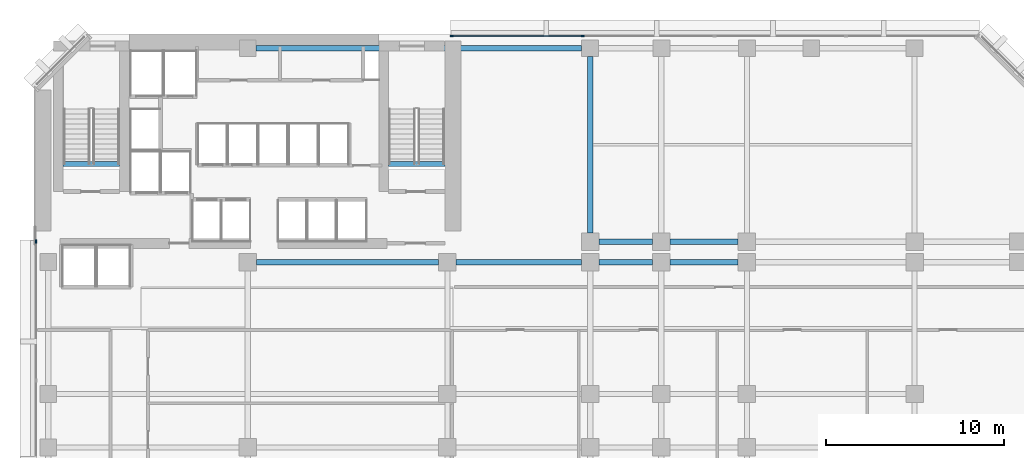
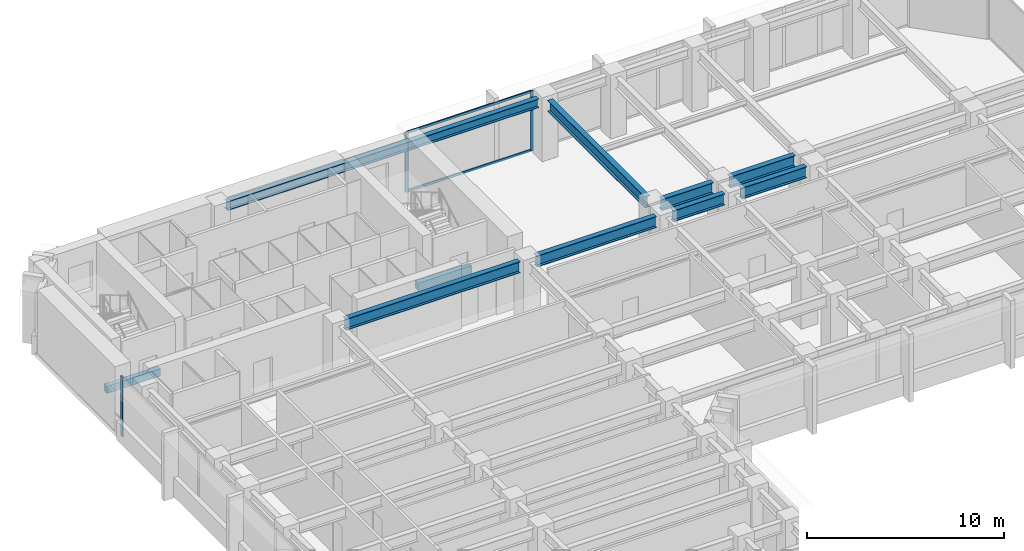
# One storey, part 4 of 13: 10 beams, 5 members, 2 elements without a shape of their own.
"""IFC4 building model written with IfcOpenShell, lengths in metres."""

import ifcopenshell
import ifcopenshell.guid

model = None  # the IFC model being written
_history = None  # IfcOwnerHistory: only IFC2X3 demands one
_inside = {}  # id of a spatial element -> (the spatial element, [elements in it])
_under = {}  # id of a project, library or spatial element -> (it, [spatial elements below it])
_declared = {}  # id of a project -> (the project, [libraries it declares])
_typed = {}  # id of a type object -> (the type object, [elements of that type])
_made_of = {}  # id of a material, layer set ... -> (it, [elements and type objects made of it])


def new_model(schema):
    """Start an empty IFC model of exactly this schema.

    Asked for "IFC4X3", IfcOpenShell would pick the latest addendum, in which some entities
    have other attributes; the version numbers below select the first issue.
    IFC2X3 requires an IfcOwnerHistory on every rooted entity: one is made here for all.
    """
    global model, _history
    if schema == "IFC4X3":
        model = ifcopenshell.file(schema_version=(4, 3, 0, 0))
    else:
        model = ifcopenshell.file(schema=schema)
    _inside.clear()
    _under.clear()
    _declared.clear()
    _typed.clear()
    _made_of.clear()
    _history = None
    if model.schema == "IFC2X3":
        org = make("IfcOrganization", Name="unknown")
        user = make(
            "IfcPersonAndOrganization",
            ThePerson=make("IfcPerson", FamilyName="unknown"),
            TheOrganization=org,
        )
        app = make(
            "IfcApplication",
            ApplicationDeveloper=org,
            Version="unknown",
            ApplicationFullName="unknown",
            ApplicationIdentifier="unknown",
        )
        _history = make(
            "IfcOwnerHistory",
            OwningUser=user,
            OwningApplication=app,
            ChangeAction="ADDED",
            CreationDate=0,
        )
    return model


def make(cls, **values):
    """One entity of the class cls with the attributes given. An attribute that is None is left unset."""
    return model.create_entity(
        cls, **{name: value for name, value in values.items() if value is not None}
    )


def rooted(cls, **values):
    """An entity with a GlobalId (a new one), such as an element, a storey or a relation."""
    return make(cls, GlobalId=ifcopenshell.guid.new(), OwnerHistory=_history, **values)


def si_unit(unit_type, name, prefix=None):
    """IfcSIUnit, for example si_unit("LENGTHUNIT", "METRE", prefix="MILLI")."""
    return make("IfcSIUnit", UnitType=unit_type, Prefix=prefix, Name=name)


def assignment(units):
    """IfcUnitAssignment: the units of a project."""
    return None if units is None else make("IfcUnitAssignment", Units=units)


def point(xyz):
    """IfcCartesianPoint."""
    return None if xyz is None else make("IfcCartesianPoint", Coordinates=xyz)


def direction(xyz):
    """IfcDirection."""
    return None if xyz is None else make("IfcDirection", DirectionRatios=xyz)


def frame(location, z_axis=None, x_axis=None):
    """IfcAxis2Placement3D, a coordinate frame: its origin and axes. An axis left out is left unset."""
    return make(
        "IfcAxis2Placement3D",
        Location=point(location),
        Axis=direction(z_axis),
        RefDirection=direction(x_axis),
    )


def frame_2d(location, x_axis=None):
    """IfcAxis2Placement2D, a coordinate frame in the plane: its origin and x axis."""
    return make(
        "IfcAxis2Placement2D", Location=point(location), RefDirection=direction(x_axis)
    )


def origin():
    """The frame at (0, 0, 0) with its axes left unset."""
    return frame((0.0, 0.0, 0.0))


def origin_2d():
    """The frame at (0, 0) in the plane with its x axis left unset."""
    return frame_2d((0.0, 0.0))


def place(relative_to, where):
    """IfcLocalPlacement: puts the frame where relative to a parent placement (None: the world)."""
    return make(
        "IfcLocalPlacement", PlacementRelTo=relative_to, RelativePlacement=where
    )


def context(
    kind, dimensions, precision=None, world=None, true_north=None, identifier=None
):
    """IfcGeometricRepresentationContext, for example the 3D "Model" context."""
    return make(
        "IfcGeometricRepresentationContext",
        ContextIdentifier=identifier,
        ContextType=kind,
        CoordinateSpaceDimension=dimensions,
        Precision=precision,
        WorldCoordinateSystem=world,
        TrueNorth=true_north,
    )


def subcontext(parent, identifier, kind, view, scale=None):
    """IfcGeometricRepresentationSubContext, for example "Body" below "Model"."""
    return make(
        "IfcGeometricRepresentationSubContext",
        ContextIdentifier=identifier,
        ContextType=kind,
        ParentContext=parent,
        TargetScale=scale,
        TargetView=view,
    )


def project(units=None, contexts=None):
    """IfcProject with its units and contexts."""
    return rooted(
        "IfcProject",
        Name="project",
        RepresentationContexts=contexts,
        UnitsInContext=assignment(units),
    )


def spatial(cls, under=None, at=None, **own):
    """A site, building, storey or space (cls), placed at a placement, below another one or the project."""
    s = rooted(cls, ObjectPlacement=at, **own)
    if under is not None:
        _under.setdefault(under.id(), (under, []))[1].append(s)
    return s


def profile(cls, at=None, kind="AREA", **sizes):
    """A parametric profile (cls). Its sizes go by their IFC names, for example OverallWidth=200.0."""
    return make(cls, ProfileType=kind, Position=at, **sizes)


def rectangle(**sizes):
    """IfcRectangleProfileDef."""
    return profile("IfcRectangleProfileDef", **sizes)


def i_section(**sizes):
    """IfcIShapeProfileDef."""
    return profile("IfcIShapeProfileDef", **sizes)


def extrude(swept, where, along, depth):
    """IfcExtrudedAreaSolid: the profile swept, set in the frame where, extruded along a direction by depth."""
    return make(
        "IfcExtrudedAreaSolid",
        SweptArea=swept,
        Position=where,
        ExtrudedDirection=direction(along),
        Depth=depth,
    )


def shape(context_of_items, identifier, shape_type, items):
    """IfcShapeRepresentation: the items that make up one representation, for example the "Body"."""
    return make(
        "IfcShapeRepresentation",
        ContextOfItems=context_of_items,
        RepresentationIdentifier=identifier,
        RepresentationType=shape_type,
        Items=items,
    )


def material(Name=None, Category=None):
    """IfcMaterial."""
    return make("IfcMaterial", Name=Name, Category=Category)


def layer(
    of_material, thickness, ventilated=None, Name=None, Category=None, Priority=None
):
    """IfcMaterialLayer: one layer of a wall or slab, of a material (None: an air gap)."""
    return make(
        "IfcMaterialLayer",
        Material=of_material,
        LayerThickness=thickness,
        IsVentilated=ventilated,
        Name=Name,
        Category=Category,
        Priority=Priority,
    )


def layer_set(layers, Name=None):
    """IfcMaterialLayerSet."""
    return make("IfcMaterialLayerSet", MaterialLayers=layers, LayerSetName=Name)


def material_profile(
    of_material, cross_section, Name=None, Category=None, Priority=None
):
    """IfcMaterialProfile: a cross section and its material."""
    return make(
        "IfcMaterialProfile",
        Name=Name,
        Material=of_material,
        Profile=cross_section,
        Priority=Priority,
        Category=Category,
    )


def profile_set(profiles, Name=None, composite=None):
    """IfcMaterialProfileSet."""
    return make(
        "IfcMaterialProfileSet",
        Name=Name,
        MaterialProfiles=profiles,
        CompositeProfile=composite,
    )


def made_of(thing, what):
    """Note that an element or type object is made of a material, layer set ...; save() writes the relation."""
    if what is not None:
        _made_of.setdefault(what.id(), (what, []))[1].append(thing)
    return thing


def type_object(cls, material=None, **own):
    """A type object (cls), such as IfcWallType, which elements share."""
    return made_of(rooted(cls, **own), material)


def element(
    cls,
    number,
    at=None,
    inside=None,
    cuts=None,
    type_object=None,
    material=None,
    context=None,
    identifier="Body",
    shape_type=None,
    held_by="IfcProductDefinitionShape",
    body=None,
    shapes=None,
    **own,
):
    """One element of the class cls, such as IfcWall. Its Tag is "e" and its number.

    at: its placement. inside: the storey or other place that contains it. cuts: it is an
    opening in that element (IfcRelVoidsElement). A single representation is given by context,
    identifier, shape_type and body (its items); several are given by shapes. held_by: the class
    of the entity that holds the representations. save() writes the other relations.
    """
    e = rooted(cls, Tag="e%d" % number, ObjectPlacement=at, **own)
    if body is not None:
        shapes = [shape(context, identifier, shape_type, body)]
    if shapes is not None:
        e.Representation = make(held_by, Representations=shapes)
    if inside is not None:
        _inside.setdefault(inside.id(), (inside, []))[1].append(e)
    if cuts is not None:
        rooted(
            "IfcRelVoidsElement", RelatingBuildingElement=cuts, RelatedOpeningElement=e
        )
    if type_object is not None:
        _typed.setdefault(type_object.id(), (type_object, []))[1].append(e)
    return made_of(e, material)


def aggregate(whole, parts):
    """IfcRelAggregates: a whole, such as a stair, and the parts it consists of."""
    return rooted("IfcRelAggregates", RelatingObject=whole, RelatedObjects=parts)


def save(model, path):
    """Write the relations noted so far, then the file.

    IfcRelAggregates (storeys below a building ...), IfcRelContainedInSpatialStructure (elements
    in a storey), IfcRelDefinesByType, IfcRelAssociatesMaterial and IfcRelDeclares: one each for
    every whole, place, type object, material and project.
    """
    for whole, parts in _under.values():
        aggregate(whole, parts)
    for where, things in _inside.values():
        rooted(
            "IfcRelContainedInSpatialStructure",
            RelatedElements=things,
            RelatingStructure=where,
        )
    for kind, things in _typed.values():
        rooted("IfcRelDefinesByType", RelatedObjects=things, RelatingType=kind)
    for what, things in _made_of.values():
        rooted("IfcRelAssociatesMaterial", RelatedObjects=things, RelatingMaterial=what)
    for by, libraries in _declared.values():
        rooted("IfcRelDeclares", RelatingContext=by, RelatedDefinitions=libraries)
    model.write(path)


model = new_model("IFC4")

# Units and contexts
model_context = context("Model", 3, precision=1e-05, world=origin(), true_north=direction((0.0, 1.0)))
body_context = subcontext(model_context, "Body", "Model", "MODEL_VIEW")
ifc_project = project(units=[si_unit("LENGTHUNIT", "METRE"), si_unit("AREAUNIT", "SQUARE_METRE"), si_unit("VOLUMEUNIT", "CUBIC_METRE"), si_unit("PLANEANGLEUNIT", "RADIAN"), si_unit("MASSUNIT", "GRAM", prefix="KILO")], contexts=[model_context])

# Site, building, storey
site_placement = place(None, origin())
site = spatial("IfcSite", under=ifc_project, at=site_placement, CompositionType="ELEMENT")
building_placement = place(site_placement, origin())
building = spatial("IfcBuilding", under=site, at=building_placement, Name="Kefirva Bronze Tower", CompositionType="ELEMENT")
storey_placement = place(building_placement, frame((0.0, 0.0, 85.800048828125)))
storey = spatial("IfcBuildingStorey", under=building, at=storey_placement, Name="L20", CompositionType="ELEMENT", Elevation=85.800048828125)

# Curtain wall, members
ifc_material_1 = material(Name="Bronze anodised aluminium", Category="aluminium")
ifc_layer = layer(ifc_material_1, 0.199951171875, Name="Bronze anodised aluminium")
ifc_layer_set = layer_set([ifc_layer], Name="Bronze anodised aluminium")
curtain_wall_type = type_object("IfcCurtainWallType", Name="Unitised Bronze Ribbon Curtain Wall Zone 1", PredefinedType="USERDEFINED", material=ifc_layer_set)
curtain_wall_1_placement = place(storey_placement, origin())
curtain_wall_1 = element("IfcCurtainWall", 1, at=curtain_wall_1_placement, inside=storey, type_object=curtain_wall_type, Name="L20 Curtain Wall 4", ObjectType="UNITISED CURTAIN WALL", PredefinedType="USERDEFINED")
ifc_material_profile_1 = material_profile(ifc_material_1, rectangle(XDim=0.074951171875, YDim=0.179931640625, at=origin_2d()), Name="ALU 75x180")
ifc_profile_set_1 = profile_set([ifc_material_profile_1], Name="Bronze anodised aluminium")
member_type_1 = type_object("IfcMemberType", Name="Bronze Mullion 75x180", PredefinedType="MULLION", material=ifc_profile_set_1)
member_1_placement = place(storey_placement, frame((30.7900390625, 45.8798828125, 0.0), z_axis=(0.0, 0.0, 1.0), x_axis=(0.0, -1.0, 0.0)))
member_1 = element("IfcMember", 2, at=member_1_placement, type_object=member_type_1, Name="CW-01 mullion 4", PredefinedType="MULLION", context=body_context, shape_type="SweptSolid", body=[
    extrude(rectangle(XDim=0.074951171875, YDim=0.179931640625, at=origin_2d()), origin(), (0.0, 0.0, 1.0), 3.7099609375),
])
member_2_placement = place(storey_placement, frame((23.4423828125, 45.8798828125, 0.0), z_axis=(0.0, 0.0, 1.0), x_axis=(0.0, -1.0, 0.0)))
member_2 = element("IfcMember", 3, at=member_2_placement, type_object=member_type_1, Name="CW-01 mullion 5", PredefinedType="MULLION", context=body_context, shape_type="SweptSolid", body=[
    extrude(rectangle(XDim=0.074951171875, YDim=0.179931640625, at=origin_2d()), origin(), (0.0, 0.0, 1.0), 3.7099609375),
])

# Curtain wall, member
curtain_wall_2_placement = place(storey_placement, origin())
curtain_wall_2 = element("IfcCurtainWall", 4, at=curtain_wall_2_placement, inside=storey, type_object=curtain_wall_type, Name="L20 Curtain Wall 5", ObjectType="UNITISED CURTAIN WALL", PredefinedType="USERDEFINED")
member_3_placement = place(storey_placement, frame((0.1201171875, 34.357421875, 0.0), z_axis=(0.0, 0.0, 1.0), x_axis=(1.0, 0.0, 0.0)))
member_3 = element("IfcMember", 5, at=member_3_placement, type_object=member_type_1, Name="CW-01 mullion 1", PredefinedType="MULLION", context=body_context, shape_type="SweptSolid", body=[
    extrude(rectangle(XDim=0.074951171875, YDim=0.179931640625, at=origin_2d()), origin(), (0.0, 0.0, 1.0), 3.7099609375),
])
aggregate(curtain_wall_2, [member_3])

# Member
ifc_material_profile_2 = material_profile(ifc_material_1, rectangle(XDim=0.074951171875, YDim=0.14990234375, at=origin_2d()), Name="ALU 75x150")
ifc_profile_set_2 = profile_set([ifc_material_profile_2], Name="Bronze anodised aluminium")
member_type_2 = type_object("IfcMemberType", Name="Bronze Transom 75x150", PredefinedType="USERDEFINED", material=ifc_profile_set_2)
member_4_placement = place(storey_placement, frame((30.75244140625, 45.8798828125, 0.037353515625), z_axis=(-1.0, 0.0, 0.0), x_axis=(0.0, -1.0, 0.0)))
member_4 = element("IfcMember", 6, at=member_4_placement, type_object=member_type_2, Name="CW-01 transom 4.1", ObjectType="TRANSOM", PredefinedType="USERDEFINED", context=body_context, shape_type="SweptSolid", body=[
    extrude(rectangle(XDim=0.074951171875, YDim=0.14990234375, at=origin_2d()), origin(), (0.0, 0.0, 1.0), 7.2724609375),
])

member_5_placement = place(storey_placement, frame((30.75244140625, 45.8798828125, 3.67236328125), z_axis=(-1.0, 0.0, 0.0), x_axis=(0.0, -1.0, 0.0)))
member_5 = element("IfcMember", 7, at=member_5_placement, type_object=member_type_2, Name="CW-01 transom 4.2", ObjectType="TRANSOM", PredefinedType="USERDEFINED", context=body_context, shape_type="SweptSolid", body=[
    extrude(rectangle(XDim=0.074951171875, YDim=0.14990234375, at=origin_2d()), origin(), (0.0, 0.0, 1.0), 7.2724609375),
])

aggregate(curtain_wall_1, [member_1, member_2, member_4, member_5])

# Beams
ifc_material_2 = material(Name="Concrete C50/60", Category="concrete")
ifc_material_profile_3 = material_profile(ifc_material_2, rectangle(XDim=0.300048828125, YDim=0.449951171875, at=origin_2d()), Name="RC 300x450")
ifc_profile_set_3 = profile_set([ifc_material_profile_3], Name="Concrete C50/60")
beam_type_1 = type_object("IfcBeamType", Name="RC Stair Trimmer Beam 300x450", PredefinedType="BEAM", material=ifc_profile_set_3)
beam_1_placement = place(storey_placement, frame((1.64501953125, 38.699951171875, -0.22509765625), z_axis=(1.0, 0.0, 0.0), x_axis=(0.0, 1.0, 0.0)))
element("IfcBeam", 8, at=beam_1_placement, inside=storey, type_object=beam_type_1, Name="L20 Stair 1 Landing Trimmer Beam", PredefinedType="BEAM", context=body_context, shape_type="SweptSolid", body=[
    extrude(rectangle(XDim=0.300048828125, YDim=0.449951171875, at=origin_2d()), origin(), (0.0, 0.0, 1.0), 3.14990234375),
])
beam_2_placement = place(storey_placement, frame((19.89501953125, 38.699951171875, -0.22509765625), z_axis=(1.0, 0.0, 0.0), x_axis=(0.0, 1.0, 0.0)))
element("IfcBeam", 9, at=beam_2_placement, inside=storey, type_object=beam_type_1, Name="L20 Stair 2 Landing Trimmer Beam", PredefinedType="BEAM", context=body_context, shape_type="SweptSolid", body=[
    extrude(rectangle(XDim=0.300048828125, YDim=0.449951171875, at=origin_2d()), origin(), (0.0, 0.0, 1.0), 3.159912109375),
])
ifc_material_3 = material(Name="Steel S355", Category="steel")
ifc_material_profile_4 = material_profile(ifc_material_3, i_section(OverallWidth=0.300048828125, OverallDepth=0.699951171875, WebThickness=0.01708984375, FlangeThickness=0.031982421875, at=origin_2d()), Name="HEB 700")
ifc_profile_set_4 = profile_set([ifc_material_profile_4], Name="Steel S355")
beam_type_2 = type_object("IfcBeamType", Name="Steel Girder HEB 700", PredefinedType="USERDEFINED", material=ifc_profile_set_4)
beam_3_placement = place(storey_placement, frame((12.489990234375, 33.199951171875, 3.35986328125), z_axis=(1.0, 0.0, 0.0), x_axis=(0.0, 1.0, 0.0)))
element("IfcBeam", 10, at=beam_3_placement, inside=storey, type_object=beam_type_2, Name="L20 BM-L20-EW-12-332", ObjectType="GIRDER", PredefinedType="USERDEFINED", context=body_context, shape_type="SweptSolid", body=[
    extrude(i_section(OverallWidth=0.300048828125, OverallDepth=0.699951171875, WebThickness=0.01708984375, FlangeThickness=0.031982421875, at=origin_2d()), origin(), (0.0, 0.0, 1.0), 10.219970703125),
])
beam_4_placement = place(storey_placement, frame((23.68994140625, 33.199951171875, 3.35986328125), z_axis=(1.0, 0.0, 0.0), x_axis=(0.0, 1.0, 0.0)))
element("IfcBeam", 11, at=beam_4_placement, inside=storey, type_object=beam_type_2, Name="L20 BM-L20-EW-23-332", ObjectType="GIRDER", PredefinedType="USERDEFINED", context=body_context, shape_type="SweptSolid", body=[
    extrude(i_section(OverallWidth=0.300048828125, OverallDepth=0.699951171875, WebThickness=0.01708984375, FlangeThickness=0.031982421875, at=origin_2d()), origin(), (0.0, 0.0, 1.0), 7.02001953125),
])
beam_5_placement = place(storey_placement, frame((31.68994140625, 33.199951171875, 3.35986328125), z_axis=(1.0, 0.0, 0.0), x_axis=(0.0, 1.0, 0.0)))
element("IfcBeam", 12, at=beam_5_placement, inside=storey, type_object=beam_type_2, Name="L20 BM-L20-EW-31-332", ObjectType="GIRDER", PredefinedType="USERDEFINED", context=body_context, shape_type="SweptSolid", body=[
    extrude(i_section(OverallWidth=0.300048828125, OverallDepth=0.699951171875, WebThickness=0.01708984375, FlangeThickness=0.031982421875, at=origin_2d()), origin(), (0.0, 0.0, 1.0), 3.02001953125),
])
beam_6_placement = place(storey_placement, frame((35.68994140625, 33.199951171875, 3.35986328125), z_axis=(1.0, 0.0, 0.0), x_axis=(0.0, 1.0, 0.0)))
element("IfcBeam", 13, at=beam_6_placement, inside=storey, type_object=beam_type_2, Name="L20 BM-L20-EW-35-332", ObjectType="GIRDER", PredefinedType="USERDEFINED", context=body_context, shape_type="SweptSolid", body=[
    extrude(i_section(OverallWidth=0.300048828125, OverallDepth=0.699951171875, WebThickness=0.01708984375, FlangeThickness=0.031982421875, at=origin_2d()), origin(), (0.0, 0.0, 1.0), 3.820068359375),
])
beam_7_placement = place(storey_placement, frame((31.68994140625, 34.35009765625, 3.35986328125), z_axis=(1.0, 0.0, 0.0), x_axis=(0.0, 1.0, 0.0)))
element("IfcBeam", 14, at=beam_7_placement, inside=storey, type_object=beam_type_2, Name="L20 BM-L20-EW-31-344", ObjectType="GIRDER", PredefinedType="USERDEFINED", context=body_context, shape_type="SweptSolid", body=[
    extrude(i_section(OverallWidth=0.300048828125, OverallDepth=0.699951171875, WebThickness=0.01708984375, FlangeThickness=0.031982421875, at=origin_2d()), origin(), (0.0, 0.0, 1.0), 3.02001953125),
])
beam_8_placement = place(storey_placement, frame((35.68994140625, 34.35009765625, 3.35986328125), z_axis=(1.0, 0.0, 0.0), x_axis=(0.0, 1.0, 0.0)))
element("IfcBeam", 15, at=beam_8_placement, inside=storey, type_object=beam_type_2, Name="L20 BM-L20-EW-35-344", ObjectType="GIRDER", PredefinedType="USERDEFINED", context=body_context, shape_type="SweptSolid", body=[
    extrude(i_section(OverallWidth=0.300048828125, OverallDepth=0.699951171875, WebThickness=0.01708984375, FlangeThickness=0.031982421875, at=origin_2d()), origin(), (0.0, 0.0, 1.0), 3.820068359375),
])
beam_9_placement = place(storey_placement, frame((31.199951171875, 34.840087890625, 3.35986328125), z_axis=(0.0, 1.0, 0.0), x_axis=(-1.0, 0.0, 0.0)))
element("IfcBeam", 16, at=beam_9_placement, inside=storey, type_object=beam_type_2, Name="L20 BM-L20-NS-312-34", ObjectType="GIRDER", PredefinedType="USERDEFINED", context=body_context, shape_type="SweptSolid", body=[
    extrude(i_section(OverallWidth=0.300048828125, OverallDepth=0.699951171875, WebThickness=0.01708984375, FlangeThickness=0.031982421875, at=origin_2d()), origin(), (0.0, 0.0, 1.0), 9.889892578125),
])
ifc_material_profile_5 = material_profile(ifc_material_3, i_section(OverallWidth=0.300048828125, OverallDepth=0.550048828125, WebThickness=0.014892578125, FlangeThickness=0.029052734375, at=origin_2d()), Name="HEB 550")
ifc_profile_set_5 = profile_set([ifc_material_profile_5], Name="Steel S355")
beam_type_3 = type_object("IfcBeamType", Name="Steel Spandrel HEB 550 Ext", PredefinedType="SPANDREL", material=ifc_profile_set_5)
beam_10_placement = place(storey_placement, frame((12.469970703125, 45.199951171875, 3.43505859375), z_axis=(1.0, 0.0, 0.0), x_axis=(0.0, 1.0, 0.0)))
element("IfcBeam", 17, at=beam_10_placement, inside=storey, type_object=beam_type_3, Name="L20 BM-L20-EW-12-452", PredefinedType="SPANDREL", context=body_context, shape_type="SweptSolid", body=[
    extrude(i_section(OverallWidth=0.300048828125, OverallDepth=0.550048828125, WebThickness=0.014892578125, FlangeThickness=0.029052734375, at=origin_2d()), origin(), (0.0, 0.0, 1.0), 18.260009765625),
])

save(model, "model.ifc")
